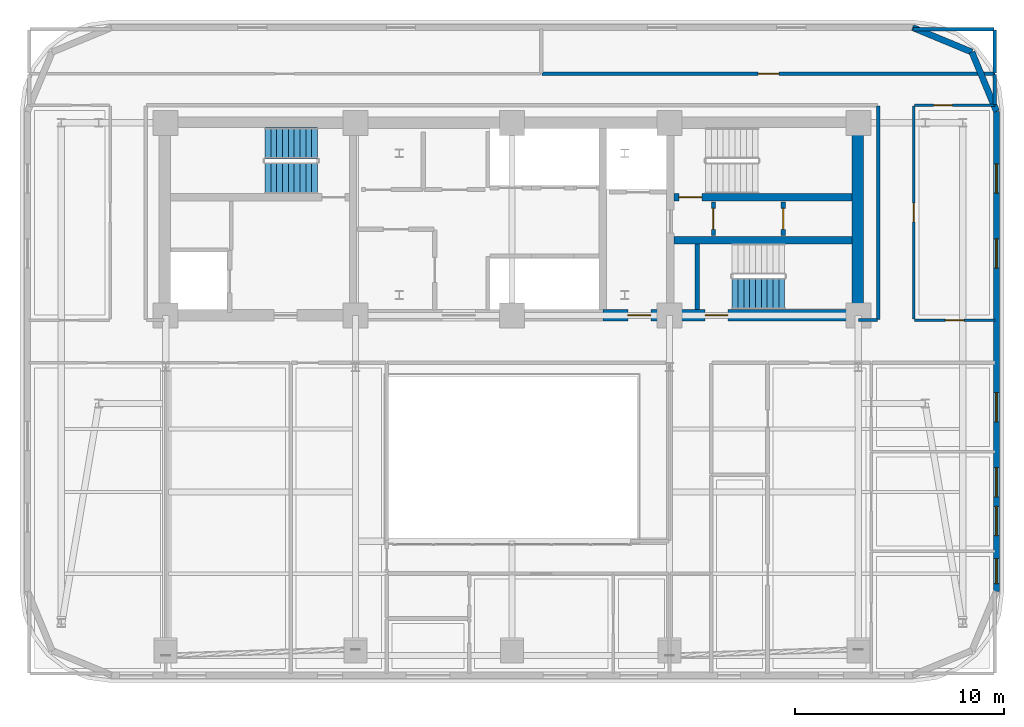
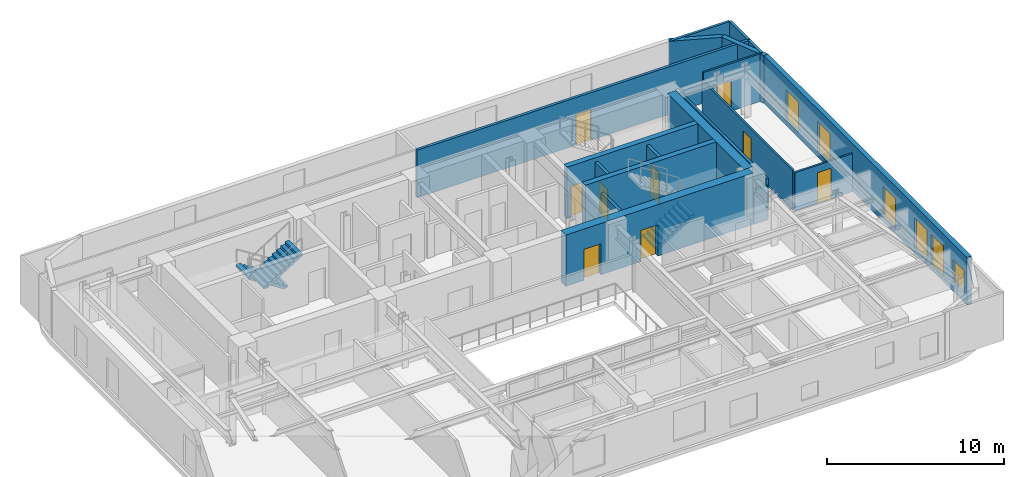
# One storey, part 8 of 12: 19 walls, 9 doors, 6 windows, 3 stair flights, 15 openings, 2 elements without a shape of their own.
"""IFC4 building model written with IfcOpenShell, lengths in metres."""

import ifcopenshell
import ifcopenshell.guid

model = None  # the IFC model being written
_history = None  # IfcOwnerHistory: only IFC2X3 demands one
_inside = {}  # id of a spatial element -> (the spatial element, [elements in it])
_under = {}  # id of a project, library or spatial element -> (it, [spatial elements below it])
_declared = {}  # id of a project -> (the project, [libraries it declares])
_typed = {}  # id of a type object -> (the type object, [elements of that type])
_made_of = {}  # id of a material, layer set ... -> (it, [elements and type objects made of it])


def new_model(schema):
    """Start an empty IFC model of exactly this schema.

    Asked for "IFC4X3", IfcOpenShell would pick the latest addendum, in which some entities
    have other attributes; the version numbers below select the first issue.
    IFC2X3 requires an IfcOwnerHistory on every rooted entity: one is made here for all.
    """
    global model, _history
    if schema == "IFC4X3":
        model = ifcopenshell.file(schema_version=(4, 3, 0, 0))
    else:
        model = ifcopenshell.file(schema=schema)
    _inside.clear()
    _under.clear()
    _declared.clear()
    _typed.clear()
    _made_of.clear()
    _history = None
    if model.schema == "IFC2X3":
        org = make("IfcOrganization", Name="unknown")
        user = make(
            "IfcPersonAndOrganization",
            ThePerson=make("IfcPerson", FamilyName="unknown"),
            TheOrganization=org,
        )
        app = make(
            "IfcApplication",
            ApplicationDeveloper=org,
            Version="unknown",
            ApplicationFullName="unknown",
            ApplicationIdentifier="unknown",
        )
        _history = make(
            "IfcOwnerHistory",
            OwningUser=user,
            OwningApplication=app,
            ChangeAction="ADDED",
            CreationDate=0,
        )
    return model


def make(cls, **values):
    """One entity of the class cls with the attributes given. An attribute that is None is left unset."""
    return model.create_entity(
        cls, **{name: value for name, value in values.items() if value is not None}
    )


def rooted(cls, **values):
    """An entity with a GlobalId (a new one), such as an element, a storey or a relation."""
    return make(cls, GlobalId=ifcopenshell.guid.new(), OwnerHistory=_history, **values)


def si_unit(unit_type, name, prefix=None):
    """IfcSIUnit, for example si_unit("LENGTHUNIT", "METRE", prefix="MILLI")."""
    return make("IfcSIUnit", UnitType=unit_type, Prefix=prefix, Name=name)


def assignment(units):
    """IfcUnitAssignment: the units of a project."""
    return None if units is None else make("IfcUnitAssignment", Units=units)


def point(xyz):
    """IfcCartesianPoint."""
    return None if xyz is None else make("IfcCartesianPoint", Coordinates=xyz)


def direction(xyz):
    """IfcDirection."""
    return None if xyz is None else make("IfcDirection", DirectionRatios=xyz)


def frame(location, z_axis=None, x_axis=None):
    """IfcAxis2Placement3D, a coordinate frame: its origin and axes. An axis left out is left unset."""
    return make(
        "IfcAxis2Placement3D",
        Location=point(location),
        Axis=direction(z_axis),
        RefDirection=direction(x_axis),
    )


def frame_2d(location, x_axis=None):
    """IfcAxis2Placement2D, a coordinate frame in the plane: its origin and x axis."""
    return make(
        "IfcAxis2Placement2D", Location=point(location), RefDirection=direction(x_axis)
    )


def origin():
    """The frame at (0, 0, 0) with its axes left unset."""
    return frame((0.0, 0.0, 0.0))


def place(relative_to, where):
    """IfcLocalPlacement: puts the frame where relative to a parent placement (None: the world)."""
    return make(
        "IfcLocalPlacement", PlacementRelTo=relative_to, RelativePlacement=where
    )


def context(
    kind, dimensions, precision=None, world=None, true_north=None, identifier=None
):
    """IfcGeometricRepresentationContext, for example the 3D "Model" context."""
    return make(
        "IfcGeometricRepresentationContext",
        ContextIdentifier=identifier,
        ContextType=kind,
        CoordinateSpaceDimension=dimensions,
        Precision=precision,
        WorldCoordinateSystem=world,
        TrueNorth=true_north,
    )


def subcontext(parent, identifier, kind, view, scale=None):
    """IfcGeometricRepresentationSubContext, for example "Body" below "Model"."""
    return make(
        "IfcGeometricRepresentationSubContext",
        ContextIdentifier=identifier,
        ContextType=kind,
        ParentContext=parent,
        TargetScale=scale,
        TargetView=view,
    )


def project(units=None, contexts=None):
    """IfcProject with its units and contexts."""
    return rooted(
        "IfcProject",
        Name="project",
        RepresentationContexts=contexts,
        UnitsInContext=assignment(units),
    )


def spatial(cls, under=None, at=None, **own):
    """A site, building, storey or space (cls), placed at a placement, below another one or the project."""
    s = rooted(cls, ObjectPlacement=at, **own)
    if under is not None:
        _under.setdefault(under.id(), (under, []))[1].append(s)
    return s


def polyline(points):
    """IfcPolyline through the points."""
    return make("IfcPolyline", Points=[point(p) for p in points])


def profile(cls, at=None, kind="AREA", **sizes):
    """A parametric profile (cls). Its sizes go by their IFC names, for example OverallWidth=200.0."""
    return make(cls, ProfileType=kind, Position=at, **sizes)


def rectangle(**sizes):
    """IfcRectangleProfileDef."""
    return profile("IfcRectangleProfileDef", **sizes)


def outline(outer, holes=None, kind="AREA"):
    """IfcArbitraryClosedProfileDef: a profile drawn as a closed curve; with holes, ...WithVoids."""
    if holes is None:
        return make("IfcArbitraryClosedProfileDef", ProfileType=kind, OuterCurve=outer)
    return make(
        "IfcArbitraryProfileDefWithVoids",
        ProfileType=kind,
        OuterCurve=outer,
        InnerCurves=holes,
    )


def extrude(swept, where, along, depth):
    """IfcExtrudedAreaSolid: the profile swept, set in the frame where, extruded along a direction by depth."""
    return make(
        "IfcExtrudedAreaSolid",
        SweptArea=swept,
        Position=where,
        ExtrudedDirection=direction(along),
        Depth=depth,
    )


def shape(context_of_items, identifier, shape_type, items):
    """IfcShapeRepresentation: the items that make up one representation, for example the "Body"."""
    return make(
        "IfcShapeRepresentation",
        ContextOfItems=context_of_items,
        RepresentationIdentifier=identifier,
        RepresentationType=shape_type,
        Items=items,
    )


def material(Name=None, Category=None):
    """IfcMaterial."""
    return make("IfcMaterial", Name=Name, Category=Category)


def layer(
    of_material, thickness, ventilated=None, Name=None, Category=None, Priority=None
):
    """IfcMaterialLayer: one layer of a wall or slab, of a material (None: an air gap)."""
    return make(
        "IfcMaterialLayer",
        Material=of_material,
        LayerThickness=thickness,
        IsVentilated=ventilated,
        Name=Name,
        Category=Category,
        Priority=Priority,
    )


def layer_set(layers, Name=None):
    """IfcMaterialLayerSet."""
    return make("IfcMaterialLayerSet", MaterialLayers=layers, LayerSetName=Name)


def made_of(thing, what):
    """Note that an element or type object is made of a material, layer set ...; save() writes the relation."""
    if what is not None:
        _made_of.setdefault(what.id(), (what, []))[1].append(thing)
    return thing


def type_object(cls, material=None, **own):
    """A type object (cls), such as IfcWallType, which elements share."""
    return made_of(rooted(cls, **own), material)


def element(
    cls,
    number,
    at=None,
    inside=None,
    cuts=None,
    type_object=None,
    material=None,
    context=None,
    identifier="Body",
    shape_type=None,
    held_by="IfcProductDefinitionShape",
    body=None,
    shapes=None,
    **own,
):
    """One element of the class cls, such as IfcWall. Its Tag is "e" and its number.

    at: its placement. inside: the storey or other place that contains it. cuts: it is an
    opening in that element (IfcRelVoidsElement). A single representation is given by context,
    identifier, shape_type and body (its items); several are given by shapes. held_by: the class
    of the entity that holds the representations. save() writes the other relations.
    """
    e = rooted(cls, Tag="e%d" % number, ObjectPlacement=at, **own)
    if body is not None:
        shapes = [shape(context, identifier, shape_type, body)]
    if shapes is not None:
        e.Representation = make(held_by, Representations=shapes)
    if inside is not None:
        _inside.setdefault(inside.id(), (inside, []))[1].append(e)
    if cuts is not None:
        rooted(
            "IfcRelVoidsElement", RelatingBuildingElement=cuts, RelatedOpeningElement=e
        )
    if type_object is not None:
        _typed.setdefault(type_object.id(), (type_object, []))[1].append(e)
    return made_of(e, material)


def fill(opening, filler):
    """IfcRelFillsElement: the door or window that sits in an opening."""
    return rooted(
        "IfcRelFillsElement",
        RelatingOpeningElement=opening,
        RelatedBuildingElement=filler,
    )


def aggregate(whole, parts):
    """IfcRelAggregates: a whole, such as a stair, and the parts it consists of."""
    return rooted("IfcRelAggregates", RelatingObject=whole, RelatedObjects=parts)


def save(model, path):
    """Write the relations noted so far, then the file.

    IfcRelAggregates (storeys below a building ...), IfcRelContainedInSpatialStructure (elements
    in a storey), IfcRelDefinesByType, IfcRelAssociatesMaterial and IfcRelDeclares: one each for
    every whole, place, type object, material and project.
    """
    for whole, parts in _under.values():
        aggregate(whole, parts)
    for where, things in _inside.values():
        rooted(
            "IfcRelContainedInSpatialStructure",
            RelatedElements=things,
            RelatingStructure=where,
        )
    for kind, things in _typed.values():
        rooted("IfcRelDefinesByType", RelatedObjects=things, RelatingType=kind)
    for what, things in _made_of.values():
        rooted("IfcRelAssociatesMaterial", RelatedObjects=things, RelatingMaterial=what)
    for by, libraries in _declared.values():
        rooted("IfcRelDeclares", RelatingContext=by, RelatedDefinitions=libraries)
    model.write(path)


model = new_model("IFC4")

# Units and contexts
model_context = context("Model", 3, precision=1e-05, world=origin(), true_north=direction((0.0, 1.0)))
body_context = subcontext(model_context, "Body", "Model", "MODEL_VIEW")
ifc_project = project(units=[si_unit("LENGTHUNIT", "METRE"), si_unit("AREAUNIT", "SQUARE_METRE"), si_unit("VOLUMEUNIT", "CUBIC_METRE"), si_unit("PLANEANGLEUNIT", "RADIAN"), si_unit("MASSUNIT", "GRAM", prefix="KILO")], contexts=[model_context])

# Site, building, storey
site_placement = place(None, origin())
site = spatial("IfcSite", under=ifc_project, at=site_placement, CompositionType="ELEMENT")
building_placement = place(site_placement, origin())
building = spatial("IfcBuilding", under=site, at=building_placement, Name="Zarnavel Station Tower", CompositionType="ELEMENT")
storey_placement = place(building_placement, frame((0.0, 0.0, 159.0)))
storey = spatial("IfcBuildingStorey", under=building, at=storey_placement, Name="L43", CompositionType="ELEMENT", Elevation=159.0)

# Wall, opening, door
ifc_material_1 = material(Name="Concrete C50/60", Category="concrete")
ifc_layer_1 = layer(ifc_material_1, 0.35009765625)
ifc_layer_set_1 = layer_set([ifc_layer_1], Name="CW_350")
wall_type_1 = type_object("IfcWallType", Name="CW_350", PredefinedType="SHEAR", material=ifc_layer_set_1)
wall_1_placement = place(storey_placement, frame((45.10498046875, 33.47998046875, 0.0), z_axis=(0.0, 0.0, 1.0), x_axis=(-1.0, 0.0, 0.0)))
wall_1 = element("IfcWall", 1, at=wall_1_placement, inside=storey, type_object=wall_type_1, Name="L43 Rear Core Shear Wall DIV-H2", PredefinedType="SHEAR", context=body_context, shape_type="SweptSolid", body=[
    extrude(rectangle(XDim=8.550048828125, YDim=0.35009765625, at=frame_2d((4.27490234375, 0.0))), origin(), (0.0, 0.0, 1.0), 3.550048828125),
])
opening_1_placement = place(wall_1_placement, frame((7.205078125, 0.0, 0.0)))
opening_1 = element("IfcOpeningElement", 2, at=opening_1_placement, cuts=wall_1, Name="Opening FD01", PredefinedType="OPENING", context=body_context, shape_type="SweptSolid", body=[
    extrude(rectangle(XDim=1.10009765625, YDim=2.14990234375, at=frame_2d((0.550048828125, 1.074951171875))), frame((0.0, 0.18505859375, 0.0), z_axis=(0.0, -1.0, 0.0), x_axis=(1.0, 0.0, 0.0)), (0.0, 0.0, 1.0), 0.3701171875),
])
ifc_material_2 = material(Name="Painted Galvanised Steel and Hardwood Leaf", Category="steel")
door_type_1 = type_object("IfcDoorType", Name="ID_STAIR_1100", OperationType="NOTDEFINED", PredefinedType="DOOR", material=ifc_material_2)
door_1_placement = place(opening_1_placement, origin())
door_1 = element("IfcDoor", 3, at=door_1_placement, inside=storey, type_object=door_type_1, Name="L43 Stair ST2 Lobby Fire Door", OperationType="SINGLE_SWING_RIGHT", OverallHeight=2.14990234375, OverallWidth=1.10009765625, PredefinedType="DOOR", context=body_context, shape_type="SweptSolid", body=[
    extrude(rectangle(XDim=1.10009765625, YDim=2.14990234375, at=frame_2d((0.550048828125, 1.074951171875))), frame((0.0, 0.02490234375, 0.0), z_axis=(0.0, -1.0, 0.0), x_axis=(1.0, 0.0, 0.0)), (0.0, 0.0, 1.0), 0.050048828125),
])
fill(opening_1, door_1)

# Wall
wall_2_placement = place(storey_placement, frame((36.554931640625, 31.419921875, 0.0), z_axis=(0.0, 0.0, 1.0), x_axis=(1.0, 0.0, 0.0)))
element("IfcWall", 4, at=wall_2_placement, inside=storey, type_object=wall_type_1, Name="L43 Rear Core Shear Wall DIV-H3", PredefinedType="SHEAR", context=body_context, shape_type="SweptSolid", body=[
    extrude(rectangle(XDim=8.550048828125, YDim=0.35009765625, at=frame_2d((4.27490234375, 0.0))), origin(), (0.0, 0.0, 1.0), 3.550048828125),
])

# Wall, openings, doors
ifc_material_3 = material(Name="Concrete C50/60", Category="concrete")
ifc_layer_2 = layer(ifc_material_3, 0.550048828125)
ifc_layer_set_2 = layer_set([ifc_layer_2], Name="CW_550")
wall_type_2 = type_object("IfcWallType", Name="CW_550", PredefinedType="SHEAR", material=ifc_layer_set_2)
wall_3_placement = place(storey_placement, frame((45.3798828125, 27.820068359375, 0.0), z_axis=(0.0, 0.0, 1.0), x_axis=(-1.0, 0.0, 0.0)))
wall_3 = element("IfcWall", 5, at=wall_3_placement, inside=storey, type_object=wall_type_2, Name="L43 Rear Core Shear Wall S-E", PredefinedType="SHEAR", context=body_context, shape_type="SweptSolid", body=[
    extrude(rectangle(XDim=12.22998046875, YDim=0.550048828125, at=frame_2d((6.114990234375, 0.0))), origin(), (0.0, 0.0, 1.0), 3.550048828125),
])
opening_2_placement = place(wall_3_placement, frame((9.929931640625, 0.0, 0.0)))
opening_2 = element("IfcOpeningElement", 6, at=opening_2_placement, cuts=wall_3, Name="Opening FD01", PredefinedType="OPENING", context=body_context, shape_type="SweptSolid", body=[
    extrude(rectangle(XDim=1.10009765625, YDim=2.14990234375, at=frame_2d((0.550048828125, 1.074951171875))), frame((0.0, 0.284912109375, 0.0), z_axis=(0.0, -1.0, 0.0), x_axis=(1.0, 0.0, 0.0)), (0.0, 0.0, 1.0), 0.570068359375),
])
opening_3_placement = place(wall_3_placement, frame((6.22998046875, 0.0, 0.0)))
opening_3 = element("IfcOpeningElement", 7, at=opening_3_placement, cuts=wall_3, Name="Opening FD01", PredefinedType="OPENING", context=body_context, shape_type="SweptSolid", body=[
    extrude(rectangle(XDim=1.10009765625, YDim=2.14990234375, at=frame_2d((0.550048828125, 1.074951171875))), frame((0.0, 0.284912109375, 0.0), z_axis=(0.0, -1.0, 0.0), x_axis=(1.0, 0.0, 0.0)), (0.0, 0.0, 1.0), 0.570068359375),
])
door_2_placement = place(opening_2_placement, origin())
door_2 = element("IfcDoor", 8, at=door_2_placement, inside=storey, type_object=door_type_1, Name="L43 East Firefighting Lobby Door", OperationType="SINGLE_SWING_LEFT", OverallHeight=2.14990234375, OverallWidth=1.10009765625, PredefinedType="DOOR", context=body_context, shape_type="SweptSolid", body=[
    extrude(rectangle(XDim=1.10009765625, YDim=2.14990234375, at=frame_2d((0.550048828125, 1.074951171875))), frame((0.0, 0.02490234375, 0.0), z_axis=(0.0, -1.0, 0.0), x_axis=(1.0, 0.0, 0.0)), (0.0, 0.0, 1.0), 0.050048828125),
])
fill(opening_2, door_2)
door_3_placement = place(opening_3_placement, origin())
door_3 = element("IfcDoor", 9, at=door_3_placement, inside=storey, type_object=door_type_1, Name="L43 Stair ST3 Corridor Fire Door", OperationType="SINGLE_SWING_RIGHT", OverallHeight=2.14990234375, OverallWidth=1.10009765625, PredefinedType="DOOR", context=body_context, shape_type="SweptSolid", body=[
    extrude(rectangle(XDim=1.10009765625, YDim=2.14990234375, at=frame_2d((0.550048828125, 1.074951171875))), frame((0.0, 0.02490234375, 0.0), z_axis=(0.0, -1.0, 0.0), x_axis=(1.0, 0.0, 0.0)), (0.0, 0.0, 1.0), 0.050048828125),
])
fill(opening_3, door_3)

# Wall
wall_4_placement = place(storey_placement, frame((45.3798828125, 28.094970703125, 0.0), z_axis=(0.0, 0.0, 1.0), x_axis=(0.0, 1.0, 0.0)))
element("IfcWall", 10, at=wall_4_placement, inside=storey, type_object=wall_type_2, Name="L43 Rear Core Shear Wall E", PredefinedType="SHEAR", context=body_context, shape_type="SweptSolid", body=[
    extrude(rectangle(XDim=8.679931640625, YDim=0.550048828125, at=frame_2d((4.33984375, 0.0))), origin(), (0.0, 0.0, 1.0), 3.550048828125),
])

# Wall, openings, windows
ifc_material_4 = material(Name="Precast concrete C45/55 (Dark Basalt Finish)", Category="masonry")
ifc_layer_3 = layer(ifc_material_4, 0.300048828125)
ifc_layer_set_3 = layer_set([ifc_layer_3], Name="EW_BASALT_300")
wall_type_3 = type_object("IfcWallType", Name="EW_BASALT_300", PredefinedType="SOLIDWALL", material=ifc_layer_set_3)
wall_5_placement = place(storey_placement, frame((52.02001953125, 37.60009765625, 0.0), z_axis=(0.0, 0.0, 1.0), x_axis=(0.0, -1.0, 0.0)))
wall_5 = element("IfcWall", 11, at=wall_5_placement, inside=storey, type_object=wall_type_3, Name="L43 Exterior Basalt Masonry Frame Wall 03", PredefinedType="SOLIDWALL", context=body_context, shape_type="SweptSolid", body=[
    extrude(rectangle(XDim=23.0, YDim=0.300048828125, at=frame_2d((11.5, 0.0))), origin(), (0.0, 0.0, 1.0), 3.2900390625),
])
opening_4_placement = place(wall_5_placement, frame((2.51318359375, 0.0, 0.340087890625)))
opening_4 = element("IfcOpeningElement", 12, at=opening_4_placement, cuts=wall_5, Name="Opening WN04", PredefinedType="OPENING", context=body_context, shape_type="SweptSolid", body=[
    extrude(rectangle(XDim=1.39990234375, YDim=2.10009765625, at=frame_2d((0.699951171875, 1.050048828125))), frame((0.0, 0.159912109375, 0.0), z_axis=(0.0, -1.0, 0.0), x_axis=(1.0, 0.0, 0.0)), (0.0, 0.0, 1.0), 0.320068359375),
])
opening_5_placement = place(wall_5_placement, frame((6.106689453125, 0.0, 0.340087890625)))
opening_5 = element("IfcOpeningElement", 13, at=opening_5_placement, cuts=wall_5, Name="Opening WN04", PredefinedType="OPENING", context=body_context, shape_type="SweptSolid", body=[
    extrude(rectangle(XDim=1.39990234375, YDim=2.10009765625, at=frame_2d((0.699951171875, 1.050048828125))), frame((0.0, 0.159912109375, 0.0), z_axis=(0.0, -1.0, 0.0), x_axis=(1.0, 0.0, 0.0)), (0.0, 0.0, 1.0), 0.320068359375),
])
opening_6_placement = place(wall_5_placement, frame((21.431396484375, 0.0, 0.679931640625)))
opening_6 = element("IfcOpeningElement", 14, at=opening_6_placement, cuts=wall_5, Name="Opening WN08", PredefinedType="OPENING", context=body_context, shape_type="SweptSolid", body=[
    extrude(rectangle(XDim=1.199951171875, YDim=1.5, at=frame_2d((0.60009765625, 0.75))), frame((0.0, 0.159912109375, 0.0), z_axis=(0.0, -1.0, 0.0), x_axis=(1.0, 0.0, 0.0)), (0.0, 0.0, 1.0), 0.320068359375),
])
opening_7_placement = place(wall_5_placement, frame((17.072998046875, 0.0, 0.340087890625)))
opening_7 = element("IfcOpeningElement", 15, at=opening_7_placement, cuts=wall_5, Name="Opening WN04", PredefinedType="OPENING", context=body_context, shape_type="SweptSolid", body=[
    extrude(rectangle(XDim=1.39990234375, YDim=2.10009765625, at=frame_2d((0.699951171875, 1.050048828125))), frame((0.0, 0.159912109375, 0.0), z_axis=(0.0, -1.0, 0.0), x_axis=(1.0, 0.0, 0.0)), (0.0, 0.0, 1.0), 0.320068359375),
])
opening_8_placement = place(wall_5_placement, frame((18.927978515625, 0.0, 0.340087890625)))
opening_8 = element("IfcOpeningElement", 16, at=opening_8_placement, cuts=wall_5, Name="Opening WN04", PredefinedType="OPENING", context=body_context, shape_type="SweptSolid", body=[
    extrude(rectangle(XDim=1.39990234375, YDim=2.10009765625, at=frame_2d((0.699951171875, 1.050048828125))), frame((0.0, 0.159912109375, 0.0), z_axis=(0.0, -1.0, 0.0), x_axis=(1.0, 0.0, 0.0)), (0.0, 0.0, 1.0), 0.320068359375),
])
opening_9_placement = place(wall_5_placement, frame((13.48388671875, 0.0, 0.340087890625)))
opening_9 = element("IfcOpeningElement", 17, at=opening_9_placement, cuts=wall_5, Name="Opening WN04", PredefinedType="OPENING", context=body_context, shape_type="SweptSolid", body=[
    extrude(rectangle(XDim=1.39990234375, YDim=2.10009765625, at=frame_2d((0.699951171875, 1.050048828125))), frame((0.0, 0.159912109375, 0.0), z_axis=(0.0, -1.0, 0.0), x_axis=(1.0, 0.0, 0.0)), (0.0, 0.0, 1.0), 0.320068359375),
])
ifc_material_5 = material(Name="Thermally Broken Black Aluminium and Low-E Dark Glass", Category="aluminium")
window_type_1 = type_object("IfcWindowType", Name="WN_1200x1500", PartitioningType="SINGLE_PANEL", PredefinedType="WINDOW", material=ifc_material_5)
window_1_placement = place(opening_6_placement, origin())
window_1 = element("IfcWindow", 18, at=window_1_placement, inside=storey, type_object=window_type_1, Name="L43 Recessed Facade Window 03", OverallHeight=1.5, OverallWidth=1.199951171875, PartitioningType="SINGLE_PANEL", PredefinedType="WINDOW", context=body_context, shape_type="SweptSolid", body=[
    extrude(rectangle(XDim=1.199951171875, YDim=1.5, at=frame_2d((0.60009765625, 0.75))), frame((0.0, 0.030029296875, 0.0), z_axis=(0.0, -1.0, 0.0), x_axis=(1.0, 0.0, 0.0)), (0.0, 0.0, 1.0), 0.06005859375),
])
fill(opening_6, window_1)
ifc_material_6 = material(Name="Thermally Broken Black Aluminium and Low-E Dark Glass", Category="aluminium")
window_type_2 = type_object("IfcWindowType", Name="WN_1400x2100", PartitioningType="DOUBLE_PANEL_VERTICAL", PredefinedType="WINDOW", material=ifc_material_6)
window_2_placement = place(opening_4_placement, origin())
window_2 = element("IfcWindow", 19, at=window_2_placement, inside=storey, type_object=window_type_2, Name="L43 Recessed Facade Window 01", OverallHeight=2.10009765625, OverallWidth=1.39990234375, PartitioningType="SINGLE_PANEL", PredefinedType="WINDOW", context=body_context, shape_type="SweptSolid", body=[
    extrude(rectangle(XDim=1.39990234375, YDim=2.10009765625, at=frame_2d((0.699951171875, 1.050048828125))), frame((0.0, 0.030029296875, 0.0), z_axis=(0.0, -1.0, 0.0), x_axis=(1.0, 0.0, 0.0)), (0.0, 0.0, 1.0), 0.06005859375),
])
fill(opening_4, window_2)
window_3_placement = place(opening_5_placement, origin())
window_3 = element("IfcWindow", 20, at=window_3_placement, inside=storey, type_object=window_type_2, Name="L43 Recessed Facade Window 02", OverallHeight=2.10009765625, OverallWidth=1.39990234375, PartitioningType="SINGLE_PANEL", PredefinedType="WINDOW", context=body_context, shape_type="SweptSolid", body=[
    extrude(rectangle(XDim=1.39990234375, YDim=2.10009765625, at=frame_2d((0.699951171875, 1.050048828125))), frame((0.0, 0.030029296875, 0.0), z_axis=(0.0, -1.0, 0.0), x_axis=(1.0, 0.0, 0.0)), (0.0, 0.0, 1.0), 0.06005859375),
])
fill(opening_5, window_3)
window_4_placement = place(opening_7_placement, origin())
window_4 = element("IfcWindow", 21, at=window_4_placement, inside=storey, type_object=window_type_2, Name="L43 Recessed Facade Window 04", OverallHeight=2.10009765625, OverallWidth=1.39990234375, PartitioningType="SINGLE_PANEL", PredefinedType="WINDOW", context=body_context, shape_type="SweptSolid", body=[
    extrude(rectangle(XDim=1.39990234375, YDim=2.10009765625, at=frame_2d((0.699951171875, 1.050048828125))), frame((0.0, 0.030029296875, 0.0), z_axis=(0.0, -1.0, 0.0), x_axis=(1.0, 0.0, 0.0)), (0.0, 0.0, 1.0), 0.06005859375),
])
fill(opening_7, window_4)
window_5_placement = place(opening_8_placement, origin())
window_5 = element("IfcWindow", 22, at=window_5_placement, inside=storey, type_object=window_type_2, Name="L43 Recessed Facade Window 05", OverallHeight=2.10009765625, OverallWidth=1.39990234375, PartitioningType="SINGLE_PANEL", PredefinedType="WINDOW", context=body_context, shape_type="SweptSolid", body=[
    extrude(rectangle(XDim=1.39990234375, YDim=2.10009765625, at=frame_2d((0.699951171875, 1.050048828125))), frame((0.0, 0.030029296875, 0.0), z_axis=(0.0, -1.0, 0.0), x_axis=(1.0, 0.0, 0.0)), (0.0, 0.0, 1.0), 0.06005859375),
])
fill(opening_8, window_5)
window_6_placement = place(opening_9_placement, origin())
window_6 = element("IfcWindow", 23, at=window_6_placement, inside=storey, type_object=window_type_2, Name="L43 Recessed Facade Window 06", OverallHeight=2.10009765625, OverallWidth=1.39990234375, PartitioningType="SINGLE_PANEL", PredefinedType="WINDOW", context=body_context, shape_type="SweptSolid", body=[
    extrude(rectangle(XDim=1.39990234375, YDim=2.10009765625, at=frame_2d((0.699951171875, 1.050048828125))), frame((0.0, 0.030029296875, 0.0), z_axis=(0.0, -1.0, 0.0), x_axis=(1.0, 0.0, 0.0)), (0.0, 0.0, 1.0), 0.06005859375),
])
fill(opening_9, window_6)

# Walls
for number, where, z_axis, x_axis, name in (
    (24, (50.842529296875, 40.442626953125, 0.0), (0.0, 0.0, 1.0), (0.382704529509, -0.923870793506, 0.0), "L43 Exterior Basalt Masonry Frame Wall 04"),
    (25, (48.0, 41.6201171875, 0.0), (0.0, 0.0, 1.0), (0.923870793506, -0.382704529509, 0.0), "L43 Exterior Basalt Masonry Frame Wall 05"),
):
    element("IfcWall", number, at=place(storey_placement, frame(where, z_axis=z_axis, x_axis=x_axis)), inside=storey, type_object=wall_type_3, Name=name, PredefinedType="SOLIDWALL", context=body_context, shape_type="SweptSolid", body=[
        extrude(rectangle(XDim=3.07666015625, YDim=0.300048828125, at=frame_2d((1.538330078125, 0.0))), origin(), (0.0, 0.0, 1.0), 3.2900390625),
    ])
ifc_material_7 = material(Name="Gypsum Twin-Stud Acoustic Fire Partition", Category="concrete")
ifc_layer_4 = layer(ifc_material_7, 0.159912109375)
ifc_layer_set_4 = layer_set([ifc_layer_4], Name="PT_DEMISE_160")
wall_type_4 = type_object("IfcWallType", Name="PT_DEMISE_160", PredefinedType="PARTITIONING", material=ifc_layer_set_4)
wall_6_placement = place(storey_placement, frame((45.409912109375, 27.60009765625, 0.0), z_axis=(0.0, 0.0, 1.0), x_axis=(1.0, 0.0, 0.0)))
element("IfcWall", 26, at=wall_6_placement, inside=storey, type_object=wall_type_4, Name="L43 Enclosure Wall COR-S", PredefinedType="PARTITIONING", context=body_context, shape_type="SweptSolid", body=[
    extrude(rectangle(XDim=0.91015625, YDim=0.159912109375, at=frame_2d((0.455078125, 0.0))), origin(), (0.0, 0.0, 1.0), 2.360107421875),
])
wall_7_placement = place(storey_placement, frame((46.35009765625, 27.6298828125, 0.0), z_axis=(0.0, 0.0, 1.0), x_axis=(0.0, 1.0, 0.0)))
element("IfcWall", 27, at=wall_7_placement, inside=storey, type_object=wall_type_4, Name="L43 Enclosure Wall COR-E", PredefinedType="PARTITIONING", context=body_context, shape_type="SweptSolid", body=[
    extrude(rectangle(XDim=10.240234375, YDim=0.159912109375, at=frame_2d((5.1201171875, 0.0))), origin(), (0.0, 0.0, 1.0), 2.77001953125),
])
wall_8_placement = place(storey_placement, frame((51.93994140625, 37.929931640625, 0.0), z_axis=(0.0, 0.0, 1.0), x_axis=(0.0, 1.0, 0.0)))
element("IfcWall", 28, at=wall_8_placement, inside=storey, type_object=wall_type_4, Name="L43 Enclosure Wall COR-N", PredefinedType="PARTITIONING", context=body_context, shape_type="SweptSolid", body=[
    extrude(rectangle(XDim=1.440185546875, YDim=0.159912109375, at=frame_2d((0.72021484375, 0.0))), origin(), (0.0, 0.0, 1.0), 3.2900390625),
])
wall_9_placement = place(storey_placement, frame((48.030029296875, 41.5400390625, 0.0), z_axis=(0.0, 0.0, 1.0), x_axis=(1.0, 0.0, 0.0)))
element("IfcWall", 29, at=wall_9_placement, inside=storey, type_object=wall_type_4, Name="L43 Enclosure Wall NPAN", PredefinedType="PARTITIONING", context=body_context, shape_type="SweptSolid", body=[
    extrude(rectangle(XDim=3.8798828125, YDim=0.159912109375, at=frame_2d((1.93994140625, 0.0))), origin(), (0.0, 0.0, 1.0), 3.2900390625),
])
wall_10_placement = place(storey_placement, frame((51.93994140625, 39.429931640625, 0.0), z_axis=(0.0, 0.0, 1.0), x_axis=(0.0, 1.0, 0.0)))
element("IfcWall", 30, at=wall_10_placement, inside=storey, type_object=wall_type_4, Name="L43 Enclosure Wall NPAN", PredefinedType="PARTITIONING", context=body_context, shape_type="SweptSolid", body=[
    extrude(rectangle(XDim=2.080078125, YDim=0.159912109375, at=frame_2d((1.0400390625, 0.0))), origin(), (0.0, 0.0, 1.0), 3.2900390625),
])

# Wall, opening, door
ifc_material_8 = material(Name="Gypsum Metal-Stud Interior Partition", Category="concrete")
ifc_layer_5 = layer(ifc_material_8, 0.1201171875)
ifc_layer_set_5 = layer_set([ifc_layer_5], Name="PT_ROOM_120")
wall_type_5 = type_object("IfcWallType", Name="PT_ROOM_120", PredefinedType="PARTITIONING", material=ifc_layer_set_5)
wall_11_placement = place(storey_placement, frame((48.090087890625, 27.60009765625, 0.0), z_axis=(0.0, 0.0, 1.0), x_axis=(1.0, 0.0, 0.0)))
wall_11 = element("IfcWall", 31, at=wall_11_placement, inside=storey, type_object=wall_type_5, Name="L43 Partition COR-S-FNE", PredefinedType="PARTITIONING", context=body_context, shape_type="SweptSolid", body=[
    extrude(rectangle(XDim=3.849853515625, YDim=0.1201171875, at=frame_2d((1.9248046875, 0.0))), origin(), (0.0, 0.0, 1.0), 2.6201171875),
])
opening_10_placement = place(wall_11_placement, frame((1.47509765625, 0.0, 0.0)))
opening_10 = element("IfcOpeningElement", 32, at=opening_10_placement, cuts=wall_11, Name="Opening ID01", PredefinedType="OPENING", context=body_context, shape_type="SweptSolid", body=[
    extrude(rectangle(XDim=0.89990234375, YDim=2.10009765625, at=frame_2d((0.449951171875, 1.050048828125))), frame((0.0, 0.070068359375, 0.0), z_axis=(0.0, -1.0, 0.0), x_axis=(1.0, 0.0, 0.0)), (0.0, 0.0, 1.0), 0.14013671875),
])
ifc_material_9 = material(Name="Painted Galvanised Steel and Hardwood Leaf", Category="steel")
door_type_2 = type_object("IfcDoorType", Name="ID_ROOM_900", OperationType="NOTDEFINED", PredefinedType="DOOR", material=ifc_material_9)
door_4_placement = place(opening_10_placement, origin())
door_4 = element("IfcDoor", 33, at=door_4_placement, inside=storey, type_object=door_type_2, Name="L43 Door COR-S-FNE", OperationType="SINGLE_SWING_LEFT", OverallHeight=2.10009765625, OverallWidth=0.89990234375, PredefinedType="DOOR", context=body_context, shape_type="SweptSolid", body=[
    extrude(rectangle(XDim=0.89990234375, YDim=2.10009765625, at=frame_2d((0.449951171875, 1.050048828125))), frame((0.0, 0.02490234375, 0.0), z_axis=(0.0, -1.0, 0.0), x_axis=(1.0, 0.0, 0.0)), (0.0, 0.0, 1.0), 0.050048828125),
])
fill(opening_10, door_4)

wall_12_placement = place(storey_placement, frame((48.050048828125, 27.639892578125, 0.0), z_axis=(0.0, 0.0, 1.0), x_axis=(0.0, 1.0, 0.0)))
wall_12 = element("IfcWall", 34, at=wall_12_placement, inside=storey, type_object=wall_type_5, Name="L43 Partition COR-E-FNE", PredefinedType="PARTITIONING", context=body_context, shape_type="SweptSolid", body=[
    extrude(rectangle(XDim=10.22021484375, YDim=0.1201171875, at=frame_2d((5.110107421875, 0.0))), origin(), (0.0, 0.0, 1.0), 2.77001953125),
])
opening_11_placement = place(wall_12_placement, frame((4.659912109375, 0.0, 0.0)))
opening_11 = element("IfcOpeningElement", 35, at=opening_11_placement, cuts=wall_12, Name="Opening ID01", PredefinedType="OPENING", context=body_context, shape_type="SweptSolid", body=[
    extrude(rectangle(XDim=0.89990234375, YDim=2.10009765625, at=frame_2d((0.449951171875, 1.050048828125))), frame((0.0, 0.070068359375, 0.0), z_axis=(0.0, -1.0, 0.0), x_axis=(1.0, 0.0, 0.0)), (0.0, 0.0, 1.0), 0.14013671875),
])
door_5_placement = place(opening_11_placement, origin())
door_5 = element("IfcDoor", 36, at=door_5_placement, inside=storey, type_object=door_type_2, Name="L43 Door COR-E-FNE", OperationType="SINGLE_SWING_LEFT", OverallHeight=2.10009765625, OverallWidth=0.89990234375, PredefinedType="DOOR", context=body_context, shape_type="SweptSolid", body=[
    extrude(rectangle(XDim=0.89990234375, YDim=2.10009765625, at=frame_2d((0.449951171875, 1.050048828125))), frame((0.0, 0.02490234375, 0.0), z_axis=(0.0, -1.0, 0.0), x_axis=(1.0, 0.0, 0.0)), (0.0, 0.0, 1.0), 0.050048828125),
])
fill(opening_11, door_5)

wall_13_placement = place(storey_placement, frame((48.090087890625, 37.89990234375, 0.0), z_axis=(0.0, 0.0, 1.0), x_axis=(1.0, 0.0, 0.0)))
wall_13 = element("IfcWall", 37, at=wall_13_placement, inside=storey, type_object=wall_type_5, Name="L43 Partition COR-N-FNE", PredefinedType="PARTITIONING", context=body_context, shape_type="SweptSolid", body=[
    extrude(rectangle(XDim=3.849853515625, YDim=0.1201171875, at=frame_2d((1.9248046875, 0.0))), origin(), (0.0, 0.0, 1.0), 3.2900390625),
])
opening_12_placement = place(wall_13_placement, frame((0.918701171875, 0.0, 0.0)))
opening_12 = element("IfcOpeningElement", 38, at=opening_12_placement, cuts=wall_13, Name="Opening ID01", PredefinedType="OPENING", context=body_context, shape_type="SweptSolid", body=[
    extrude(rectangle(XDim=0.89990234375, YDim=2.10009765625, at=frame_2d((0.449951171875, 1.050048828125))), frame((0.0, 0.070068359375, 0.0), z_axis=(0.0, -1.0, 0.0), x_axis=(1.0, 0.0, 0.0)), (0.0, 0.0, 1.0), 0.14013671875),
])
door_6_placement = place(opening_12_placement, origin())
door_6 = element("IfcDoor", 39, at=door_6_placement, inside=storey, type_object=door_type_2, Name="L43 Door COR-N-FNE", OperationType="SINGLE_SWING_LEFT", OverallHeight=2.10009765625, OverallWidth=0.89990234375, PredefinedType="DOOR", context=body_context, shape_type="SweptSolid", body=[
    extrude(rectangle(XDim=0.89990234375, YDim=2.10009765625, at=frame_2d((0.449951171875, 1.050048828125))), frame((0.0, 0.02490234375, 0.0), z_axis=(0.0, -1.0, 0.0), x_axis=(1.0, 0.0, 0.0)), (0.0, 0.0, 1.0), 0.050048828125),
])
fill(opening_12, door_6)

# Wall
ifc_material_10 = material(Name="Precast concrete C45/55 (Fire Shaft Blockwork)", Category="masonry")
ifc_layer_6 = layer(ifc_material_10, 0.199951171875)
ifc_layer_set_6 = layer_set([ifc_layer_6], Name="PT_SHAFT_200")
wall_type_6 = type_object("IfcWallType", Name="PT_SHAFT_200", PredefinedType="PARTITIONING", material=ifc_layer_set_6)
wall_14_placement = place(storey_placement, frame((37.679931640625, 28.094970703125, 0.0), z_axis=(0.0, 0.0, 1.0), x_axis=(0.0, 1.0, 0.0)))
element("IfcWall", 40, at=wall_14_placement, inside=storey, type_object=wall_type_6, Name="L43 Stair ST3 West Shaft Wall", PredefinedType="PARTITIONING", context=body_context, shape_type="SweptSolid", body=[
    extrude(rectangle(XDim=3.155029296875, YDim=0.199951171875, at=frame_2d((1.57763671875, 0.0))), origin(), (0.0, 0.0, 1.0), 2.669921875),
])

# Wall, opening, door
wall_15_placement = place(storey_placement, frame((38.449951171875, 31.639892578125, 0.0), z_axis=(0.0, 0.0, 1.0), x_axis=(0.0, 1.0, 0.0)))
wall_15 = element("IfcWall", 41, at=wall_15_placement, inside=storey, type_object=wall_type_6, Name="L43 Partition ESTV-CEA", PredefinedType="PARTITIONING", context=body_context, shape_type="SweptSolid", body=[
    extrude(rectangle(XDim=1.6201171875, YDim=0.199951171875, at=frame_2d((0.81005859375, 0.0))), origin(), (0.0, 0.0, 1.0), 3.2900390625),
])
opening_13_placement = place(wall_15_placement, frame((0.31005859375, 0.0, 0.0)))
opening_13 = element("IfcOpeningElement", 42, at=opening_13_placement, cuts=wall_15, Name="Opening FD02", PredefinedType="OPENING", context=body_context, shape_type="SweptSolid", body=[
    extrude(rectangle(XDim=1.0, YDim=2.14990234375, at=frame_2d((0.5, 1.074951171875))), frame((0.0, 0.10986328125, 0.0), z_axis=(0.0, -1.0, 0.0), x_axis=(1.0, 0.0, 0.0)), (0.0, 0.0, 1.0), 0.219970703125),
])
ifc_material_11 = material(Name="Painted Galvanised Steel and Hardwood Leaf", Category="steel")
door_type_3 = type_object("IfcDoorType", Name="ID_ENTRY_1000", OperationType="NOTDEFINED", PredefinedType="DOOR", material=ifc_material_11)
door_7_placement = place(opening_13_placement, origin())
door_7 = element("IfcDoor", 43, at=door_7_placement, inside=storey, type_object=door_type_3, Name="L43 Door ESTV-CEA", OperationType="SINGLE_SWING_RIGHT", OverallHeight=2.14990234375, OverallWidth=1.0, PredefinedType="DOOR", context=body_context, shape_type="SweptSolid", body=[
    extrude(rectangle(XDim=1.0, YDim=2.14990234375, at=frame_2d((0.5, 1.074951171875))), frame((0.0, 0.02490234375, 0.0), z_axis=(0.0, -1.0, 0.0), x_axis=(1.0, 0.0, 0.0)), (0.0, 0.0, 1.0), 0.050048828125),
])
fill(opening_13, door_7)

wall_16_placement = place(storey_placement, frame((41.800048828125, 31.639892578125, 0.0), z_axis=(0.0, 0.0, 1.0), x_axis=(0.0, 1.0, 0.0)))
wall_16 = element("IfcWall", 44, at=wall_16_placement, inside=storey, type_object=wall_type_6, Name="L43 Partition CEA-CEB", PredefinedType="PARTITIONING", context=body_context, shape_type="SweptSolid", body=[
    extrude(rectangle(XDim=1.6201171875, YDim=0.199951171875, at=frame_2d((0.81005859375, 0.0))), origin(), (0.0, 0.0, 1.0), 3.2900390625),
])
opening_14_placement = place(wall_16_placement, frame((0.31005859375, 0.0, 0.0)))
opening_14 = element("IfcOpeningElement", 45, at=opening_14_placement, cuts=wall_16, Name="Opening FD02", PredefinedType="OPENING", context=body_context, shape_type="SweptSolid", body=[
    extrude(rectangle(XDim=1.0, YDim=2.14990234375, at=frame_2d((0.5, 1.074951171875))), frame((0.0, 0.10986328125, 0.0), z_axis=(0.0, -1.0, 0.0), x_axis=(1.0, 0.0, 0.0)), (0.0, 0.0, 1.0), 0.219970703125),
])
door_8_placement = place(opening_14_placement, origin())
door_8 = element("IfcDoor", 46, at=door_8_placement, inside=storey, type_object=door_type_3, Name="L43 Door CEA-CEB", OperationType="SINGLE_SWING_LEFT", OverallHeight=2.14990234375, OverallWidth=1.0, PredefinedType="DOOR", context=body_context, shape_type="SweptSolid", body=[
    extrude(rectangle(XDim=1.0, YDim=2.14990234375, at=frame_2d((0.5, 1.074951171875))), frame((0.0, 0.02490234375, 0.0), z_axis=(0.0, -1.0, 0.0), x_axis=(1.0, 0.0, 0.0)), (0.0, 0.0, 1.0), 0.050048828125),
])
fill(opening_14, door_8)

ifc_material_12 = material(Name="Moisture-Resistant Plumbing Chase Wall", Category="concrete")
ifc_layer_7 = layer(ifc_material_12, 0.179931640625)
ifc_layer_set_7 = layer_set([ifc_layer_7], Name="PW_PLUMB_180")
wall_type_7 = type_object("IfcWallType", Name="PW_PLUMB_180", PredefinedType="PLUMBINGWALL", material=ifc_layer_set_7)
wall_17_placement = place(storey_placement, frame((30.239990234375, 39.39990234375, 0.0), z_axis=(0.0, 0.0, 1.0), x_axis=(1.0, 0.0, 0.0)))
wall_17 = element("IfcWall", 47, at=wall_17_placement, inside=storey, type_object=wall_type_7, Name="L43 Partition COR-N-NPAN", PredefinedType="PLUMBINGWALL", context=body_context, shape_type="SweptSolid", body=[
    extrude(rectangle(XDim=21.699951171875, YDim=0.179931640625, at=frame_2d((10.85009765625, 0.0))), origin(), (0.0, 0.0, 1.0), 3.2900390625),
])
opening_15_placement = place(wall_17_placement, frame((10.35009765625, 0.0, 0.0)))
opening_15 = element("IfcOpeningElement", 48, at=opening_15_placement, cuts=wall_17, Name="Opening FD02", PredefinedType="OPENING", context=body_context, shape_type="SweptSolid", body=[
    extrude(rectangle(XDim=1.0, YDim=2.14990234375, at=frame_2d((0.5, 1.074951171875))), frame((0.0, 0.099853515625, 0.0), z_axis=(0.0, -1.0, 0.0), x_axis=(1.0, 0.0, 0.0)), (0.0, 0.0, 1.0), 0.199951171875),
])
door_9_placement = place(opening_15_placement, origin())
door_9 = element("IfcDoor", 49, at=door_9_placement, inside=storey, type_object=door_type_3, Name="L43 Door COR-N-NPAN", OperationType="SINGLE_SWING_LEFT", OverallHeight=2.14990234375, OverallWidth=1.0, PredefinedType="DOOR", context=body_context, shape_type="SweptSolid", body=[
    extrude(rectangle(XDim=1.0, YDim=2.14990234375, at=frame_2d((0.5, 1.074951171875))), frame((0.0, 0.02490234375, 0.0), z_axis=(0.0, -1.0, 0.0), x_axis=(1.0, 0.0, 0.0)), (0.0, 0.0, 1.0), 0.050048828125),
])
fill(opening_15, door_9)

# Stair, stair flights
ifc_material_13 = material(Name="Concrete C45/55", Category="concrete")
stair_type = type_object("IfcStairType", Name="ST_CORE_150", PredefinedType="HALF_TURN_STAIR", material=ifc_material_13)
stair_1_placement = place(storey_placement, origin())
stair_1 = element("IfcStair", 50, at=stair_1_placement, inside=storey, type_object=stair_type, Name="L43 Core Exit Stair ST1", PredefinedType="HALF_TURN_STAIR")
ifc_material_14 = material(Name="Concrete C45/55", Category="concrete")
ifc_layer_8 = layer(ifc_material_14, 0.179931640625)
ifc_layer_set_8 = layer_set([ifc_layer_8], Name="ST_CORE_150_FLT")
stair_flight_type = type_object("IfcStairFlightType", Name="ST_CORE_150_FLT", PredefinedType="STRAIGHT", material=ifc_layer_set_8)
stair_flight_1_placement = place(storey_placement, frame((19.47998046875, 36.070068359375, 0.0), z_axis=(0.0, 0.0, 1.0), x_axis=(-1.0, 0.0, 0.0)))
stair_flight_1 = element("IfcStairFlight", 51, at=stair_flight_1_placement, type_object=stair_flight_type, Name="ST1 flight 1", NumberOfRisers=10, NumberOfTreads=9, PredefinedType="STRAIGHT", RiserHeight=0.1775, TreadLength=0.28, context=body_context, shape_type="SweptSolid", body=[
    extrude(outline(polyline([(0.0, 0.0), (0.0, 0.177490234375), (0.280029296875, 0.177490234375), (0.280029296875, 0.35498046875), (0.56005859375, 0.35498046875), (0.56005859375, 0.532470703125), (0.840087890625, 0.532470703125), (0.840087890625, 0.7099609375), (1.1201171875, 0.7099609375), (1.1201171875, 0.887451171875), (1.39990234375, 0.887451171875), (1.39990234375, 1.06494140625), (1.679931640625, 1.06494140625), (1.679931640625, 1.242431640625), (1.9599609375, 1.242431640625), (1.9599609375, 1.419921875), (2.239990234375, 1.419921875), (2.239990234375, 1.597412109375), (2.52001953125, 1.597412109375), (2.52001953125, 1.77490234375), (2.52001953125, 1.419921875), (0.280029296875, 0.0), (0.0, 0.0)])), frame((0.0, 0.75, 0.0), z_axis=(0.0, -1.0, 0.0), x_axis=(1.0, 0.0, 0.0)), (0.0, 0.0, 1.0), 1.5),
])
stair_flight_2_placement = place(storey_placement, frame((16.9599609375, 34.409912109375, 1.77490234375), z_axis=(0.0, 0.0, 1.0), x_axis=(1.0, 0.0, 0.0)))
stair_flight_2 = element("IfcStairFlight", 52, at=stair_flight_2_placement, type_object=stair_flight_type, Name="ST1 flight 2", NumberOfRisers=10, NumberOfTreads=9, PredefinedType="STRAIGHT", RiserHeight=0.1775, TreadLength=0.28, context=body_context, shape_type="SweptSolid", body=[
    extrude(outline(polyline([(0.0, 0.0), (0.0, 0.177490234375), (0.280029296875, 0.177490234375), (0.280029296875, 0.35498046875), (0.56005859375, 0.35498046875), (0.56005859375, 0.532470703125), (0.840087890625, 0.532470703125), (0.840087890625, 0.7099609375), (1.1201171875, 0.7099609375), (1.1201171875, 0.887451171875), (1.39990234375, 0.887451171875), (1.39990234375, 1.06494140625), (1.679931640625, 1.06494140625), (1.679931640625, 1.242431640625), (1.9599609375, 1.242431640625), (1.9599609375, 1.419921875), (2.239990234375, 1.419921875), (2.239990234375, 1.597412109375), (2.52001953125, 1.597412109375), (2.52001953125, 1.77490234375), (2.52001953125, 1.419921875), (0.280029296875, 0.0), (0.0, 0.0)])), frame((0.0, 0.75, 0.0), z_axis=(0.0, -1.0, 0.0), x_axis=(1.0, 0.0, 0.0)), (0.0, 0.0, 1.0), 1.5),
])
aggregate(stair_1, [stair_flight_1, stair_flight_2])

# Stair, stair flight
stair_2_placement = place(storey_placement, origin())
stair_2 = element("IfcStair", 53, at=stair_2_placement, inside=storey, type_object=stair_type, Name="L43 Core Exit Stair ST3", PredefinedType="HALF_TURN_STAIR")
stair_flight_3_placement = place(storey_placement, frame((39.35009765625, 28.8701171875, 0.0), z_axis=(0.0, 0.0, 1.0), x_axis=(1.0, 0.0, 0.0)))
stair_flight_3 = element("IfcStairFlight", 54, at=stair_flight_3_placement, type_object=stair_flight_type, Name="ST3 flight 1", NumberOfRisers=10, NumberOfTreads=9, PredefinedType="STRAIGHT", RiserHeight=0.1775, TreadLength=0.28, context=body_context, shape_type="SweptSolid", body=[
    extrude(outline(polyline([(0.0, 0.0), (0.0, 0.177490234375), (0.280029296875, 0.177490234375), (0.280029296875, 0.35498046875), (0.56005859375, 0.35498046875), (0.56005859375, 0.532470703125), (0.840087890625, 0.532470703125), (0.840087890625, 0.7099609375), (1.1201171875, 0.7099609375), (1.1201171875, 0.887451171875), (1.39990234375, 0.887451171875), (1.39990234375, 1.06494140625), (1.679931640625, 1.06494140625), (1.679931640625, 1.242431640625), (1.9599609375, 1.242431640625), (1.9599609375, 1.419921875), (2.239990234375, 1.419921875), (2.239990234375, 1.597412109375), (2.52001953125, 1.597412109375), (2.52001953125, 1.77490234375), (2.52001953125, 1.419921875), (0.280029296875, 0.0), (0.0, 0.0)])), frame((0.0, 0.75, 0.0), z_axis=(0.0, -1.0, 0.0), x_axis=(1.0, 0.0, 0.0)), (0.0, 0.0, 1.0), 1.5),
])
aggregate(stair_2, [stair_flight_3])

save(model, "model.ifc")
